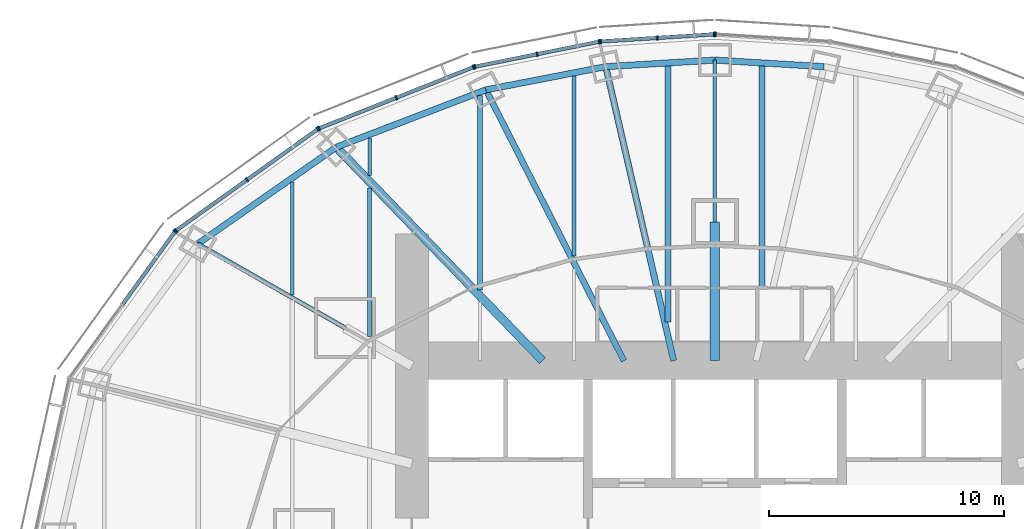
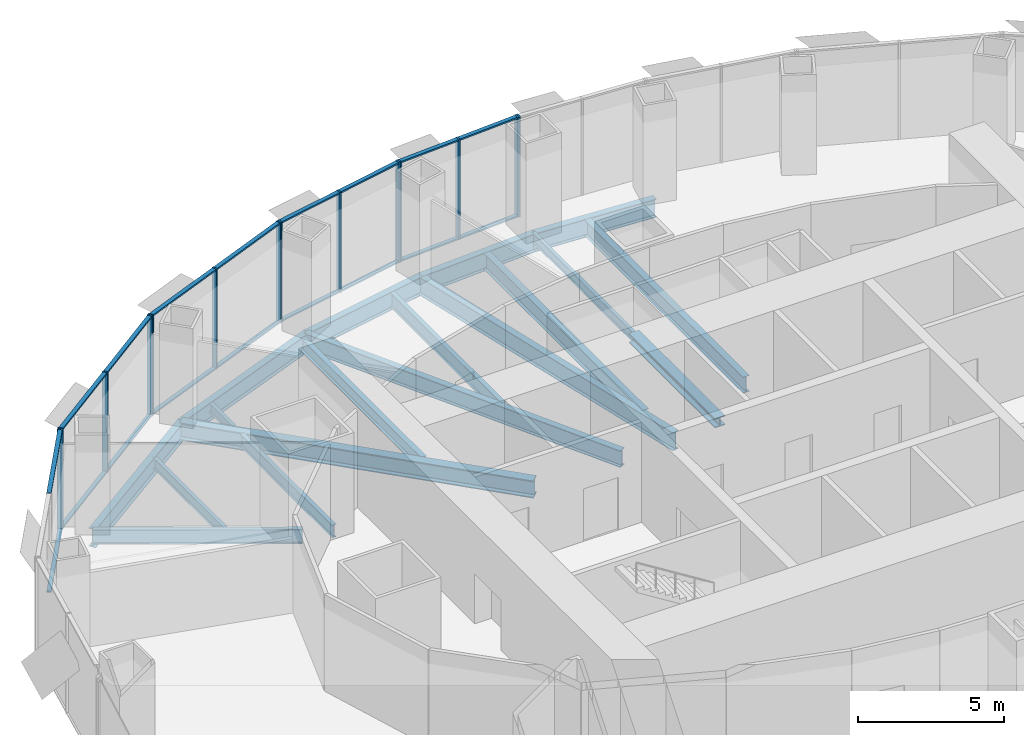
# One storey, part 7 of 18: 32 members, 18 beams, 6 elements without a shape of their own.
"""IFC4 building model written with IfcOpenShell, lengths in metres."""

from ifc_helpers import new_model, si_unit, direction, frame, origin, origin_2d, place, context, subcontext, project, spatial, rectangle, i_section, extrude, material, material_profile, profile_set, type_object, element, aggregate, save


model = new_model("IFC4")

# Units and contexts
model_context = context("Model", 3, precision=1e-05, world=origin(), true_north=direction((0.0, 1.0)))
body_context = subcontext(model_context, "Body", "Model", "MODEL_VIEW")
ifc_project = project(units=[si_unit("LENGTHUNIT", "METRE"), si_unit("AREAUNIT", "SQUARE_METRE"), si_unit("VOLUMEUNIT", "CUBIC_METRE"), si_unit("PLANEANGLEUNIT", "RADIAN"), si_unit("MASSUNIT", "GRAM", prefix="KILO")], contexts=[model_context])

# Site, building, storey
site_placement = place(None, origin())
site = spatial("IfcSite", under=ifc_project, at=site_placement, CompositionType="ELEMENT")
building_placement = place(site_placement, origin())
building = spatial("IfcBuilding", under=site, at=building_placement, Name="Lantaw Convention Tower", CompositionType="ELEMENT")
storey_placement = place(building_placement, frame((0.0, 0.0, 130.0)))
storey = spatial("IfcBuildingStorey", under=building, at=storey_placement, Name="L30", CompositionType="ELEMENT", Elevation=130.0)

# Beams
ifc_material_1 = material(Name="Steel ASTM A992", Category="steel")
ifc_material_profile_1 = material_profile(ifc_material_1, i_section(OverallWidth=0.2666015625, OverallDepth=0.76953125, WebThickness=0.015625, FlangeThickness=0.025390625, FilletRadius=0.0126953125, at=origin_2d()), Name="W30X132")
ifc_profile_set_1 = profile_set([ifc_material_profile_1], Name="Steel ASTM A992")
beam_type_1 = type_object("IfcBeamType", Name="Beam E W30X132", PredefinedType="SPANDREL", material=ifc_profile_set_1)
for number, where, z_axis, x_axis, name in (
    (1, (4.64501953125, 20.1201171875, -0.534912109375), (-0.998190892054, 0.06012439621, 0.0), (-0.06012439621, -0.998190892054, 0.0), "Edge beam 6"),
    (2, (0.0, 20.39990234375, -0.534912109375), (-0.998190892054, -0.06012439621, 0.0), (0.06012439621, -0.998190892054, 0.0), "Edge beam 7"),
):
    element("IfcBeam", number, at=place(storey_placement, frame(where, z_axis=z_axis, x_axis=x_axis)), inside=storey, type_object=beam_type_1, Name=name, PredefinedType="SPANDREL", context=body_context, shape_type="SweptSolid", body=[
        extrude(i_section(OverallWidth=0.2666015625, OverallDepth=0.76953125, WebThickness=0.015625, FlangeThickness=0.025390625, FilletRadius=0.0126953125, at=origin_2d()), origin(), (0.0, 0.0, 1.0), 4.6533203125),
    ])
beam_1_placement = place(storey_placement, frame((-4.64501953125, 20.1201171875, -0.534912109375), z_axis=(-0.981796805654, -0.189934284446, 0.0), x_axis=(0.189934284446, -0.981796805654, 0.0)))
element("IfcBeam", 3, at=beam_1_placement, inside=storey, type_object=beam_type_1, Name="Edge beam 8", PredefinedType="SPANDREL", context=body_context, shape_type="SweptSolid", body=[
    extrude(i_section(OverallWidth=0.2666015625, OverallDepth=0.76953125, WebThickness=0.015625, FlangeThickness=0.025390625, FilletRadius=0.0126953125, at=origin_2d()), origin(), (0.0, 0.0, 1.0), 5.1982421875),
])
beam_2_placement = place(storey_placement, frame((-9.74853515625, 19.1328125, -0.534912109375), z_axis=(-0.933691081977, -0.358079549033, 0.0), x_axis=(0.358079549033, -0.933691081977, 0.0)))
element("IfcBeam", 4, at=beam_2_placement, inside=storey, type_object=beam_type_1, Name="Edge beam 9", PredefinedType="SPANDREL", context=body_context, shape_type="SweptSolid", body=[
    extrude(i_section(OverallWidth=0.2666015625, OverallDepth=0.76953125, WebThickness=0.015625, FlangeThickness=0.025390625, FilletRadius=0.0126953125, at=origin_2d()), origin(), (0.0, 0.0, 1.0), 6.821533203125),
])
beam_3_placement = place(storey_placement, frame((-16.11767578125, 16.690185546875, -0.534912109375), z_axis=(-0.820310765287, -0.57191804339, 0.0), x_axis=(0.57191804339, -0.820310765287, 0.0)))
element("IfcBeam", 5, at=beam_3_placement, inside=storey, type_object=beam_type_1, Name="Edge beam 10", PredefinedType="SPANDREL", context=body_context, shape_type="SweptSolid", body=[
    extrude(i_section(OverallWidth=0.2666015625, OverallDepth=0.76953125, WebThickness=0.015625, FlangeThickness=0.025390625, FilletRadius=0.0126953125, at=origin_2d()), origin(), (0.0, 0.0, 1.0), 7.187744140625),
])
ifc_material_profile_2 = material_profile(ifc_material_1, i_section(OverallWidth=0.140380859375, OverallDepth=0.40380859375, WebThickness=0.007080078125, FlangeThickness=0.01123046875, FilletRadius=0.01025390625, at=origin_2d()), Name="W16X31")
ifc_profile_set_2 = profile_set([ifc_material_profile_2], Name="Steel ASTM A992")
beam_type_2 = type_object("IfcBeamType", Name="Beam G W16X31", PredefinedType="BEAM", material=ifc_profile_set_2)
beam_4_placement = place(storey_placement, frame((0.0, 13.5, -0.35205078125), z_axis=(0.0, 1.0, 0.0), x_axis=(-1.0, 0.0, 0.0)))
element("IfcBeam", 6, at=beam_4_placement, inside=storey, type_object=beam_type_2, Name="Floor girder on ray 7", PredefinedType="BEAM", context=body_context, shape_type="SweptSolid", body=[
    extrude(i_section(OverallWidth=0.140380859375, OverallDepth=0.40380859375, WebThickness=0.007080078125, FlangeThickness=0.01123046875, FilletRadius=0.01025390625, at=origin_2d()), origin(), (0.0, 0.0, 1.0), 6.89990234375),
])
ifc_material_profile_3 = material_profile(ifc_material_1, i_section(OverallWidth=0.177978515625, OverallDepth=0.599365234375, WebThickness=0.010009765625, FlangeThickness=0.012939453125, FilletRadius=0.012939453125, at=origin_2d()), Name="W24X55")
ifc_profile_set_3 = profile_set([ifc_material_profile_3], Name="Steel ASTM A992")
beam_type_3 = type_object("IfcBeamType", Name="Beam G W24X55", PredefinedType="BEAM", material=ifc_profile_set_3)
beam_5_placement = place(storey_placement, frame((-15.75, 9.0, -0.44970703125), z_axis=(-0.868245224608, 0.496135293993, 0.0), x_axis=(-0.496135293993, -0.868245224608, 0.0)))
element("IfcBeam", 7, at=beam_5_placement, inside=storey, type_object=beam_type_3, Name="Floor girder on ray 11", PredefinedType="BEAM", context=body_context, shape_type="SweptSolid", body=[
    extrude(i_section(OverallWidth=0.177978515625, OverallDepth=0.599365234375, WebThickness=0.010009765625, FlangeThickness=0.012939453125, FilletRadius=0.012939453125, at=origin_2d()), origin(), (0.0, 0.0, 1.0), 7.21435546875),
])
ifc_material_profile_4 = material_profile(ifc_material_1, i_section(OverallWidth=0.25390625, OverallDepth=0.700927734375, WebThickness=0.015380859375, FlangeThickness=0.02783203125, FilletRadius=0.01513671875, at=origin_2d()), Name="W27X129")
ifc_profile_set_4 = profile_set([ifc_material_profile_4], Name="Steel ASTM A992")
beam_type_4 = type_object("IfcBeamType", Name="Beam G W27X129", PredefinedType="BEAM", material=ifc_profile_set_4)
beam_6_placement = place(storey_placement, frame((-3.872314453125, 7.60009765625, -0.50048828125), z_axis=(-0.453991051051, 0.891006243281, 0.0), x_axis=(-0.891006243281, -0.453991051051, 0.0)))
element("IfcBeam", 8, at=beam_6_placement, inside=storey, type_object=beam_type_4, Name="Floor girder on ray 9", PredefinedType="BEAM", context=body_context, shape_type="SweptSolid", body=[
    extrude(i_section(OverallWidth=0.25390625, OverallDepth=0.700927734375, WebThickness=0.015380859375, FlangeThickness=0.02783203125, FilletRadius=0.01513671875, at=origin_2d()), origin(), (0.0, 0.0, 1.0), 12.943359375),
])
ifc_material_profile_5 = material_profile(ifc_material_1, i_section(OverallWidth=0.360595703125, OverallDepth=0.72900390625, WebThickness=0.023193359375, FlangeThickness=0.041015625, FilletRadius=0.0126953125, at=origin_2d()), Name="W27X235")
ifc_profile_set_5 = profile_set([ifc_material_profile_5], Name="Steel ASTM A992")
beam_type_5 = type_object("IfcBeamType", Name="Beam G W27X235", PredefinedType="BEAM", material=ifc_profile_set_5)
beam_7_placement = place(storey_placement, frame((-7.33935546875, 7.60009765625, -0.514404296875), z_axis=(-0.694663467407, 0.719334878239, 0.0), x_axis=(-0.719334878239, -0.694663467407, 0.0)))
element("IfcBeam", 9, at=beam_7_placement, inside=storey, type_object=beam_type_5, Name="Floor girder on ray 10", PredefinedType="BEAM", context=body_context, shape_type="SweptSolid", body=[
    extrude(i_section(OverallWidth=0.360595703125, OverallDepth=0.72900390625, WebThickness=0.023193359375, FlangeThickness=0.041015625, FilletRadius=0.0126953125, at=origin_2d()), origin(), (0.0, 0.0, 1.0), 12.63671875),
])
ifc_material_profile_6 = material_profile(ifc_material_1, i_section(OverallWidth=0.2666015625, OverallDepth=0.7568359375, WebThickness=0.013916015625, FlangeThickness=0.019287109375, FilletRadius=0.0126953125, at=origin_2d()), Name="W30X108")
ifc_profile_set_6 = profile_set([ifc_material_profile_6], Name="Steel ASTM A992")
beam_type_6 = type_object("IfcBeamType", Name="Beam G W30X108", PredefinedType="BEAM", material=ifc_profile_set_6)
beam_8_placement = place(storey_placement, frame((-1.754638671875, 7.60009765625, -0.528564453125), z_axis=(-0.224944153104, 0.974371658036, 0.0), x_axis=(-0.974371658036, -0.224944153104, 0.0)))
element("IfcBeam", 10, at=beam_8_placement, inside=storey, type_object=beam_type_6, Name="Floor girder on ray 8", PredefinedType="BEAM", context=body_context, shape_type="SweptSolid", body=[
    extrude(i_section(OverallWidth=0.2666015625, OverallDepth=0.7568359375, WebThickness=0.013916015625, FlangeThickness=0.019287109375, FilletRadius=0.0126953125, at=origin_2d()), origin(), (0.0, 0.0, 1.0), 12.849365234375),
])
ifc_material_profile_7 = material_profile(ifc_material_1, i_section(OverallWidth=0.40380859375, OverallDepth=0.406494140625, WebThickness=0.027099609375, FlangeThickness=0.043701171875, FilletRadius=0.01513671875, at=origin_2d()), Name="W14X233")
ifc_profile_set_7 = profile_set([ifc_material_profile_7], Name="Steel ASTM A992")
beam_type_7 = type_object("IfcBeamType", Name="Beam GM W14X233", PredefinedType="BEAM", material=ifc_profile_set_7)
beam_9_placement = place(storey_placement, frame((0.0, 7.60009765625, -0.353271484375), z_axis=(0.0, 1.0, 0.0), x_axis=(-1.0, 0.0, 0.0)))
element("IfcBeam", 11, at=beam_9_placement, inside=storey, type_object=beam_type_7, Name="Core link beam on ray 7", PredefinedType="BEAM", context=body_context, shape_type="SweptSolid", body=[
    extrude(i_section(OverallWidth=0.40380859375, OverallDepth=0.406494140625, WebThickness=0.027099609375, FlangeThickness=0.043701171875, FilletRadius=0.01513671875, at=origin_2d()), origin(), (0.0, 0.0, 1.0), 5.89990234375),
])
ifc_material_profile_8 = material_profile(ifc_material_1, i_section(OverallWidth=0.140380859375, OverallDepth=0.40380859375, WebThickness=0.007080078125, FlangeThickness=0.01123046875, FilletRadius=0.01025390625, at=origin_2d()), Name="W16X31")
ifc_profile_set_8 = profile_set([ifc_material_profile_8], Name="Steel ASTM A992")
beam_type_8 = type_object("IfcBeamType", Name="Beam J W16X31", PredefinedType="JOIST", material=ifc_profile_set_8)
beam_10_placement = place(storey_placement, frame((-14.699951171875, 15.48193359375, -0.35205078125), z_axis=(0.0, 1.0, 0.0), x_axis=(-1.0, 0.0, 0.0)))
element("IfcBeam", 12, at=beam_10_placement, inside=storey, type_object=beam_type_8, Name="Floor joist", PredefinedType="JOIST", context=body_context, shape_type="SweptSolid", body=[
    extrude(i_section(OverallWidth=0.140380859375, OverallDepth=0.40380859375, WebThickness=0.007080078125, FlangeThickness=0.01123046875, FilletRadius=0.01025390625, at=origin_2d()), origin(), (0.0, 0.0, 1.0), 1.609130859375),
])
ifc_material_profile_9 = material_profile(ifc_material_1, i_section(OverallWidth=0.15234375, OverallDepth=0.449462890625, WebThickness=0.007568359375, FlangeThickness=0.0107421875, FilletRadius=0.01025390625, at=origin_2d()), Name="W18X35")
ifc_profile_set_9 = profile_set([ifc_material_profile_9], Name="Steel ASTM A992")
beam_type_9 = type_object("IfcBeamType", Name="Beam J W18X35", PredefinedType="JOIST", material=ifc_profile_set_9)
beam_11_placement = place(storey_placement, frame((-18.0, 10.38818359375, -0.374755859375), z_axis=(0.0, 1.0, 0.0), x_axis=(-1.0, 0.0, 0.0)))
element("IfcBeam", 13, at=beam_11_placement, inside=storey, type_object=beam_type_9, Name="Floor joist", PredefinedType="JOIST", context=body_context, shape_type="SweptSolid", body=[
    extrude(i_section(OverallWidth=0.15234375, OverallDepth=0.449462890625, WebThickness=0.007568359375, FlangeThickness=0.0107421875, FilletRadius=0.01025390625, at=origin_2d()), origin(), (0.0, 0.0, 1.0), 4.8271484375),
])
ifc_material_profile_10 = material_profile(ifc_material_1, i_section(OverallWidth=0.1650390625, OverallDepth=0.52587890625, WebThickness=0.0087890625, FlangeThickness=0.011474609375, FilletRadius=0.0126953125, at=origin_2d()), Name="W21X44")
ifc_profile_set_10 = profile_set([ifc_material_profile_10], Name="Steel ASTM A992")
beam_type_10 = type_object("IfcBeamType", Name="Beam J W21X44", PredefinedType="JOIST", material=ifc_profile_set_10)
beam_12_placement = place(storey_placement, frame((-14.699951171875, 8.632568359375, -0.412841796875), z_axis=(0.0, 1.0, 0.0), x_axis=(-1.0, 0.0, 0.0)))
element("IfcBeam", 14, at=beam_12_placement, inside=storey, type_object=beam_type_10, Name="Floor joist", PredefinedType="JOIST", context=body_context, shape_type="SweptSolid", body=[
    extrude(i_section(OverallWidth=0.1650390625, OverallDepth=0.52587890625, WebThickness=0.0087890625, FlangeThickness=0.011474609375, FilletRadius=0.0126953125, at=origin_2d()), origin(), (0.0, 0.0, 1.0), 6.330078125),
])
ifc_material_profile_11 = material_profile(ifc_material_1, i_section(OverallWidth=0.2099609375, OverallDepth=0.535888671875, WebThickness=0.010986328125, FlangeThickness=0.017333984375, FilletRadius=0.012939453125, at=origin_2d()), Name="W21X68")
ifc_profile_set_11 = profile_set([ifc_material_profile_11], Name="Steel ASTM A992")
beam_type_11 = type_object("IfcBeamType", Name="Beam J W21X68", PredefinedType="JOIST", material=ifc_profile_set_11)
beam_13_placement = place(storey_placement, frame((-10.0, 10.614990234375, -0.41796875), z_axis=(0.0, 1.0, 0.0), x_axis=(-1.0, 0.0, 0.0)))
element("IfcBeam", 15, at=beam_13_placement, inside=storey, type_object=beam_type_11, Name="Floor joist", PredefinedType="JOIST", context=body_context, shape_type="SweptSolid", body=[
    extrude(i_section(OverallWidth=0.2099609375, OverallDepth=0.535888671875, WebThickness=0.010986328125, FlangeThickness=0.017333984375, FilletRadius=0.012939453125, at=origin_2d()), origin(), (0.0, 0.0, 1.0), 8.278564453125),
])
ifc_material_profile_12 = material_profile(ifc_material_1, i_section(OverallWidth=0.177978515625, OverallDepth=0.599365234375, WebThickness=0.010009765625, FlangeThickness=0.012939453125, FilletRadius=0.012939453125, at=origin_2d()), Name="W24X55")
ifc_profile_set_12 = profile_set([ifc_material_profile_12], Name="Steel ASTM A992")
beam_type_12 = type_object("IfcBeamType", Name="Beam J W24X55", PredefinedType="JOIST", material=ifc_profile_set_12)
beam_14_placement = place(storey_placement, frame((-6.0, 12.055419921875, -0.44970703125), z_axis=(0.0, 1.0, 0.0), x_axis=(-1.0, 0.0, 0.0)))
element("IfcBeam", 16, at=beam_14_placement, inside=storey, type_object=beam_type_12, Name="Floor joist", PredefinedType="JOIST", context=body_context, shape_type="SweptSolid", body=[
    extrude(i_section(OverallWidth=0.177978515625, OverallDepth=0.599365234375, WebThickness=0.010009765625, FlangeThickness=0.012939453125, FilletRadius=0.012939453125, at=origin_2d()), origin(), (0.0, 0.0, 1.0), 7.666748046875),
])
ifc_material_profile_13 = material_profile(ifc_material_1, i_section(OverallWidth=0.25390625, OverallDepth=0.683349609375, WebThickness=0.012451171875, FlangeThickness=0.01904296875, FilletRadius=0.01513671875, at=origin_2d()), Name="W27X94")
ifc_profile_set_13 = profile_set([ifc_material_profile_13], Name="Steel ASTM A992")
beam_type_13 = type_object("IfcBeamType", Name="Beam J W27X94", PredefinedType="JOIST", material=ifc_profile_set_13)
for number, where, z_axis, x_axis, name in (
    (17, (-2.0, 9.255859375, -0.49169921875), (0.0, 1.0, 0.0), (-1.0, 0.0, 0.0), "Floor joist"),
    (18, (2.0, 9.255859375, -0.49169921875), (0.0, 1.0, 0.0), (-1.0, 0.0, 0.0), "Floor joist"),
):
    element("IfcBeam", number, at=place(storey_placement, frame(where, z_axis=z_axis, x_axis=x_axis)), inside=storey, type_object=beam_type_13, Name=name, PredefinedType="JOIST", context=body_context, shape_type="SweptSolid", body=[
        extrude(i_section(OverallWidth=0.25390625, OverallDepth=0.683349609375, WebThickness=0.012451171875, FlangeThickness=0.01904296875, FilletRadius=0.01513671875, at=origin_2d()), origin(), (0.0, 0.0, 1.0), 10.889892578125),
    ])

# Curtain wall, member
ifc_material_2 = material(Name="Aluminium framed curtain wall", Category="aluminium")
curtain_wall_type = type_object("IfcCurtainWallType", Name="Office curtain wall low rise, pale aluminium", PredefinedType="USERDEFINED", material=ifc_material_2)
curtain_wall_1_placement = place(storey_placement, origin())
curtain_wall_1 = element("IfcCurtainWall", 19, at=curtain_wall_1_placement, inside=storey, type_object=curtain_wall_type, Name="Office curtain wall low rise, pale aluminium L30", ObjectType="UNITISED CURTAIN WALL", PredefinedType="USERDEFINED")
ifc_material_3 = material(Name="Aluminium 6063-T6", Category="aluminium")
ifc_material_profile_14 = material_profile(ifc_material_3, rectangle(XDim=0.199951171875, YDim=0.06494140625, at=origin_2d()), Name="CW-O1 mullion 65x200")
ifc_profile_set_14 = profile_set([ifc_material_profile_14], Name="Aluminium 6063-T6")
member_type_1 = type_object("IfcMemberType", Name="CW-O1 mullion 65x200", PredefinedType="MULLION", material=ifc_profile_set_14)
member_1_placement = place(storey_placement, frame((0.032470703125, 21.498046875, -0.14990234375), z_axis=(0.0, 0.0, 1.0), x_axis=(-0.062865059466, -0.998022035978, 0.0)))
member_1 = element("IfcMember", 20, at=member_1_placement, type_object=member_type_1, Name="CW-O1 mullion 3", PredefinedType="MULLION", context=body_context, shape_type="SweptSolid", body=[
    extrude(rectangle(XDim=0.199951171875, YDim=0.06494140625, at=origin_2d()), origin(), (0.0, 0.0, 1.0), 4.199951171875),
])
aggregate(curtain_wall_1, [member_1])

# Curtain wall, members
curtain_wall_2_placement = place(storey_placement, origin())
curtain_wall_2 = element("IfcCurtainWall", 21, at=curtain_wall_2_placement, inside=storey, type_object=curtain_wall_type, Name="Office curtain wall low rise, pale aluminium L30", ObjectType="UNITISED CURTAIN WALL", PredefinedType="USERDEFINED")
member_2_placement = place(storey_placement, frame((-0.032470703125, 21.498046875, -0.14990234375), z_axis=(0.0, 0.0, 1.0), x_axis=(0.062865059466, -0.998022035978, 0.0)))
member_2 = element("IfcMember", 22, at=member_2_placement, type_object=member_type_1, Name="CW-O1 mullion 1", PredefinedType="MULLION", context=body_context, shape_type="SweptSolid", body=[
    extrude(rectangle(XDim=0.199951171875, YDim=0.06494140625, at=origin_2d()), origin(), (0.0, 0.0, 1.0), 4.199951171875),
])
member_3_placement = place(storey_placement, frame((-2.4462890625, 21.345947265625, -0.14990234375), z_axis=(0.0, 0.0, 1.0), x_axis=(0.062865059466, -0.998022035978, 0.0)))
member_3 = element("IfcMember", 23, at=member_3_placement, type_object=member_type_1, Name="CW-O1 mullion 2", PredefinedType="MULLION", context=body_context, shape_type="SweptSolid", body=[
    extrude(rectangle(XDim=0.199951171875, YDim=0.06494140625, at=origin_2d()), origin(), (0.0, 0.0, 1.0), 4.199951171875),
])
member_4_placement = place(storey_placement, frame((-4.860107421875, 21.19384765625, -0.14990234375), z_axis=(0.0, 0.0, 1.0), x_axis=(0.062865059466, -0.998022035978, 0.0)))
member_4 = element("IfcMember", 24, at=member_4_placement, type_object=member_type_1, Name="CW-O1 mullion 3", PredefinedType="MULLION", context=body_context, shape_type="SweptSolid", body=[
    extrude(rectangle(XDim=0.199951171875, YDim=0.06494140625, at=origin_2d()), origin(), (0.0, 0.0, 1.0), 4.199951171875),
])

curtain_wall_3_placement = place(storey_placement, origin())
curtain_wall_3 = element("IfcCurtainWall", 25, at=curtain_wall_3_placement, inside=storey, type_object=curtain_wall_type, Name="Office curtain wall low rise, pale aluminium L30", ObjectType="UNITISED CURTAIN WALL", PredefinedType="USERDEFINED")
member_5_placement = place(storey_placement, frame((-4.92431640625, 21.185302734375, -0.14990234375), z_axis=(0.0, 0.0, 1.0), x_axis=(0.197506809659, -0.980301514912, 0.0)))
member_5 = element("IfcMember", 26, at=member_5_placement, type_object=member_type_1, Name="CW-O1 mullion 1", PredefinedType="MULLION", context=body_context, shape_type="SweptSolid", body=[
    extrude(rectangle(XDim=0.199951171875, YDim=0.06494140625, at=origin_2d()), origin(), (0.0, 0.0, 1.0), 4.199951171875),
])
member_6_placement = place(storey_placement, frame((-7.5703125, 20.65234375, -0.14990234375), z_axis=(0.0, 0.0, 1.0), x_axis=(0.197506809659, -0.980301514912, 0.0)))
member_6 = element("IfcMember", 27, at=member_6_placement, type_object=member_type_1, Name="CW-O1 mullion 2", PredefinedType="MULLION", context=body_context, shape_type="SweptSolid", body=[
    extrude(rectangle(XDim=0.199951171875, YDim=0.06494140625, at=origin_2d()), origin(), (0.0, 0.0, 1.0), 4.199951171875),
])
member_7_placement = place(storey_placement, frame((-10.216064453125, 20.119140625, -0.14990234375), z_axis=(0.0, 0.0, 1.0), x_axis=(0.197506809659, -0.980301514912, 0.0)))
member_7 = element("IfcMember", 28, at=member_7_placement, type_object=member_type_1, Name="CW-O1 mullion 3", PredefinedType="MULLION", context=body_context, shape_type="SweptSolid", body=[
    extrude(rectangle(XDim=0.199951171875, YDim=0.06494140625, at=origin_2d()), origin(), (0.0, 0.0, 1.0), 4.199951171875),
])

curtain_wall_4_placement = place(storey_placement, origin())
curtain_wall_4 = element("IfcCurtainWall", 29, at=curtain_wall_4_placement, inside=storey, type_object=curtain_wall_type, Name="Office curtain wall low rise, pale aluminium L30", ObjectType="UNITISED CURTAIN WALL", PredefinedType="USERDEFINED")
member_8_placement = place(storey_placement, frame((-10.2783203125, 20.100830078125, -0.14990234375), z_axis=(0.0, 0.0, 1.0), x_axis=(0.368701907483, -0.929547687544, 0.0)))
member_8 = element("IfcMember", 30, at=member_8_placement, type_object=member_type_1, Name="CW-O1 mullion 1", PredefinedType="MULLION", context=body_context, shape_type="SweptSolid", body=[
    extrude(rectangle(XDim=0.199951171875, YDim=0.06494140625, at=origin_2d()), origin(), (0.0, 0.0, 1.0), 4.199951171875),
])
member_9_placement = place(storey_placement, frame((-13.56494140625, 18.797119140625, -0.14990234375), z_axis=(0.0, 0.0, 1.0), x_axis=(0.368701907483, -0.929547687544, 0.0)))
member_9 = element("IfcMember", 31, at=member_9_placement, type_object=member_type_1, Name="CW-O1 mullion 2", PredefinedType="MULLION", context=body_context, shape_type="SweptSolid", body=[
    extrude(rectangle(XDim=0.199951171875, YDim=0.06494140625, at=origin_2d()), origin(), (0.0, 0.0, 1.0), 4.199951171875),
])
member_10_placement = place(storey_placement, frame((-16.8515625, 17.49365234375, -0.14990234375), z_axis=(0.0, 0.0, 1.0), x_axis=(0.368701907483, -0.929547687544, 0.0)))
member_10 = element("IfcMember", 32, at=member_10_placement, type_object=member_type_1, Name="CW-O1 mullion 3", PredefinedType="MULLION", context=body_context, shape_type="SweptSolid", body=[
    extrude(rectangle(XDim=0.199951171875, YDim=0.06494140625, at=origin_2d()), origin(), (0.0, 0.0, 1.0), 4.199951171875),
])

curtain_wall_5_placement = place(storey_placement, origin())
curtain_wall_5 = element("IfcCurtainWall", 33, at=curtain_wall_5_placement, inside=storey, type_object=curtain_wall_type, Name="Office curtain wall low rise, pale aluminium L30", ObjectType="UNITISED CURTAIN WALL", PredefinedType="USERDEFINED")
member_11_placement = place(storey_placement, frame((-16.908203125, 17.462646484375, -0.14990234375), z_axis=(0.0, 0.0, 1.0), x_axis=(0.581972695693, -0.813208325995, 0.0)))
member_11 = element("IfcMember", 34, at=member_11_placement, type_object=member_type_1, Name="CW-O1 mullion 1", PredefinedType="MULLION", context=body_context, shape_type="SweptSolid", body=[
    extrude(rectangle(XDim=0.199951171875, YDim=0.06494140625, at=origin_2d()), origin(), (0.0, 0.0, 1.0), 4.199951171875),
])
member_12_placement = place(storey_placement, frame((-19.92529296875, 15.303466796875, -0.14990234375), z_axis=(0.0, 0.0, 1.0), x_axis=(0.581972695693, -0.813208325995, 0.0)))
member_12 = element("IfcMember", 35, at=member_12_placement, type_object=member_type_1, Name="CW-O1 mullion 2", PredefinedType="MULLION", context=body_context, shape_type="SweptSolid", body=[
    extrude(rectangle(XDim=0.199951171875, YDim=0.06494140625, at=origin_2d()), origin(), (0.0, 0.0, 1.0), 4.199951171875),
])
member_13_placement = place(storey_placement, frame((-22.942626953125, 13.14404296875, -0.14990234375), z_axis=(0.0, 0.0, 1.0), x_axis=(0.581972695693, -0.813208325995, 0.0)))
member_13 = element("IfcMember", 36, at=member_13_placement, type_object=member_type_1, Name="CW-O1 mullion 3", PredefinedType="MULLION", context=body_context, shape_type="SweptSolid", body=[
    extrude(rectangle(XDim=0.199951171875, YDim=0.06494140625, at=origin_2d()), origin(), (0.0, 0.0, 1.0), 4.199951171875),
])

# Curtain wall, member
curtain_wall_6_placement = place(storey_placement, origin())
curtain_wall_6 = element("IfcCurtainWall", 37, at=curtain_wall_6_placement, inside=storey, type_object=curtain_wall_type, Name="Office curtain wall low rise, pale aluminium L30", ObjectType="UNITISED CURTAIN WALL", PredefinedType="USERDEFINED")
member_14_placement = place(storey_placement, frame((-22.988037109375, 13.098876953125, -0.14990234375), z_axis=(0.0, 0.0, 1.0), x_axis=(0.811384633629, -0.584512597221, 0.0)))
member_14 = element("IfcMember", 38, at=member_14_placement, type_object=member_type_1, Name="CW-O1 mullion 1", PredefinedType="MULLION", context=body_context, shape_type="SweptSolid", body=[
    extrude(rectangle(XDim=0.199951171875, YDim=0.06494140625, at=origin_2d()), origin(), (0.0, 0.0, 1.0), 4.199951171875),
])

# Member
ifc_material_profile_15 = material_profile(ifc_material_3, rectangle(XDim=0.159912109375, YDim=0.06494140625, at=origin_2d()), Name="CW-O1 transom 65x160")
ifc_profile_set_15 = profile_set([ifc_material_profile_15], Name="Aluminium 6063-T6")
member_type_2 = type_object("IfcMemberType", Name="CW-O1 transom 65x160", PredefinedType="USERDEFINED", material=ifc_profile_set_15)
member_15_placement = place(storey_placement, frame((-0.06494140625, 21.495849609375, -0.117431640625), z_axis=(-0.998022188463, -0.062862638625, 0.0), x_axis=(0.062862638625, -0.998022188463, 0.0)))
member_15 = element("IfcMember", 39, at=member_15_placement, type_object=member_type_2, Name="CW-O1 transom 1.1", ObjectType="TRANSOM", PredefinedType="USERDEFINED", context=body_context, shape_type="SweptSolid", body=[
    extrude(rectangle(XDim=0.159912109375, YDim=0.06494140625, at=origin_2d()), origin(), (0.0, 0.0, 1.0), 2.353515625),
])

member_16_placement = place(storey_placement, frame((-0.06494140625, 21.495849609375, 4.017578125), z_axis=(-0.998022188463, -0.062862638625, 0.0), x_axis=(0.062862638625, -0.998022188463, 0.0)))
member_16 = element("IfcMember", 40, at=member_16_placement, type_object=member_type_2, Name="CW-O1 transom 1.2", ObjectType="TRANSOM", PredefinedType="USERDEFINED", context=body_context, shape_type="SweptSolid", body=[
    extrude(rectangle(XDim=0.159912109375, YDim=0.06494140625, at=origin_2d()), origin(), (0.0, 0.0, 1.0), 2.353515625),
])

member_17_placement = place(storey_placement, frame((-2.478759765625, 21.34375, -0.117431640625), z_axis=(-0.998022188463, -0.062862638625, 0.0), x_axis=(0.062862638625, -0.998022188463, 0.0)))
member_17 = element("IfcMember", 41, at=member_17_placement, type_object=member_type_2, Name="CW-O1 transom 2.1", ObjectType="TRANSOM", PredefinedType="USERDEFINED", context=body_context, shape_type="SweptSolid", body=[
    extrude(rectangle(XDim=0.159912109375, YDim=0.06494140625, at=origin_2d()), origin(), (0.0, 0.0, 1.0), 2.353515625),
])

member_18_placement = place(storey_placement, frame((-2.478759765625, 21.34375, 4.017578125), z_axis=(-0.998022188463, -0.062862638625, 0.0), x_axis=(0.062862638625, -0.998022188463, 0.0)))
member_18 = element("IfcMember", 42, at=member_18_placement, type_object=member_type_2, Name="CW-O1 transom 2.2", ObjectType="TRANSOM", PredefinedType="USERDEFINED", context=body_context, shape_type="SweptSolid", body=[
    extrude(rectangle(XDim=0.159912109375, YDim=0.06494140625, at=origin_2d()), origin(), (0.0, 0.0, 1.0), 2.353515625),
])

aggregate(curtain_wall_2, [member_2, member_3, member_4, member_15, member_16, member_17, member_18])

member_19_placement = place(storey_placement, frame((-4.956298828125, 21.178955078125, -0.117431640625), z_axis=(-0.980298027092, -0.197524120247, 0.0), x_axis=(0.197524120247, -0.980298027092, 0.0)))
member_19 = element("IfcMember", 43, at=member_19_placement, type_object=member_type_2, Name="CW-O1 transom 1.1", ObjectType="TRANSOM", PredefinedType="USERDEFINED", context=body_context, shape_type="SweptSolid", body=[
    extrude(rectangle(XDim=0.159912109375, YDim=0.06494140625, at=origin_2d()), origin(), (0.0, 0.0, 1.0), 2.634033203125),
])

member_20_placement = place(storey_placement, frame((-4.956298828125, 21.178955078125, 4.017578125), z_axis=(-0.980298027092, -0.197524120247, 0.0), x_axis=(0.197524120247, -0.980298027092, 0.0)))
member_20 = element("IfcMember", 44, at=member_20_placement, type_object=member_type_2, Name="CW-O1 transom 1.2", ObjectType="TRANSOM", PredefinedType="USERDEFINED", context=body_context, shape_type="SweptSolid", body=[
    extrude(rectangle(XDim=0.159912109375, YDim=0.06494140625, at=origin_2d()), origin(), (0.0, 0.0, 1.0), 2.634033203125),
])

member_21_placement = place(storey_placement, frame((-7.60205078125, 20.64599609375, -0.117431640625), z_axis=(-0.980301643003, -0.197506173891, 0.0), x_axis=(0.197506173891, -0.980301643003, 0.0)))
member_21 = element("IfcMember", 45, at=member_21_placement, type_object=member_type_2, Name="CW-O1 transom 2.1", ObjectType="TRANSOM", PredefinedType="USERDEFINED", context=body_context, shape_type="SweptSolid", body=[
    extrude(rectangle(XDim=0.159912109375, YDim=0.06494140625, at=origin_2d()), origin(), (0.0, 0.0, 1.0), 2.63427734375),
])

member_22_placement = place(storey_placement, frame((-7.60205078125, 20.64599609375, 4.017578125), z_axis=(-0.980301643003, -0.197506173891, 0.0), x_axis=(0.197506173891, -0.980301643003, 0.0)))
member_22 = element("IfcMember", 46, at=member_22_placement, type_object=member_type_2, Name="CW-O1 transom 2.2", ObjectType="TRANSOM", PredefinedType="USERDEFINED", context=body_context, shape_type="SweptSolid", body=[
    extrude(rectangle(XDim=0.159912109375, YDim=0.06494140625, at=origin_2d()), origin(), (0.0, 0.0, 1.0), 2.63427734375),
])

aggregate(curtain_wall_3, [member_5, member_6, member_7, member_19, member_20, member_21, member_22])

member_23_placement = place(storey_placement, frame((-10.308349609375, 20.0888671875, -0.117431640625), z_axis=(-0.929540081544, -0.368721082668, 0.0), x_axis=(0.368721082668, -0.929540081544, 0.0)))
member_23 = element("IfcMember", 47, at=member_23_placement, type_object=member_type_2, Name="CW-O1 transom 1.1", ObjectType="TRANSOM", PredefinedType="USERDEFINED", context=body_context, shape_type="SweptSolid", body=[
    extrude(rectangle(XDim=0.159912109375, YDim=0.06494140625, at=origin_2d()), origin(), (0.0, 0.0, 1.0), 3.470947265625),
])

member_24_placement = place(storey_placement, frame((-10.308349609375, 20.0888671875, 4.017578125), z_axis=(-0.929540081544, -0.368721082668, 0.0), x_axis=(0.368721082668, -0.929540081544, 0.0)))
member_24 = element("IfcMember", 48, at=member_24_placement, type_object=member_type_2, Name="CW-O1 transom 1.2", ObjectType="TRANSOM", PredefinedType="USERDEFINED", context=body_context, shape_type="SweptSolid", body=[
    extrude(rectangle(XDim=0.159912109375, YDim=0.06494140625, at=origin_2d()), origin(), (0.0, 0.0, 1.0), 3.470947265625),
])

member_25_placement = place(storey_placement, frame((-13.594970703125, 18.78515625, -0.117431640625), z_axis=(-0.929564188507, -0.368660303592, 0.0), x_axis=(0.368660303592, -0.929564188507, 0.0)))
member_25 = element("IfcMember", 49, at=member_25_placement, type_object=member_type_2, Name="CW-O1 transom 2.1", ObjectType="TRANSOM", PredefinedType="USERDEFINED", context=body_context, shape_type="SweptSolid", body=[
    extrude(rectangle(XDim=0.159912109375, YDim=0.06494140625, at=origin_2d()), origin(), (0.0, 0.0, 1.0), 3.470703125),
])

member_26_placement = place(storey_placement, frame((-13.594970703125, 18.78515625, 4.017578125), z_axis=(-0.929564188507, -0.368660303592, 0.0), x_axis=(0.368660303592, -0.929564188507, 0.0)))
member_26 = element("IfcMember", 50, at=member_26_placement, type_object=member_type_2, Name="CW-O1 transom 2.2", ObjectType="TRANSOM", PredefinedType="USERDEFINED", context=body_context, shape_type="SweptSolid", body=[
    extrude(rectangle(XDim=0.159912109375, YDim=0.06494140625, at=origin_2d()), origin(), (0.0, 0.0, 1.0), 3.470703125),
])

aggregate(curtain_wall_4, [member_8, member_9, member_10, member_23, member_24, member_25, member_26])

member_27_placement = place(storey_placement, frame((-16.9345703125, 17.44384765625, -0.117431640625), z_axis=(-0.813190089133, -0.581998177777, 0.0), x_axis=(0.581998177777, -0.813190089133, 0.0)))
member_27 = element("IfcMember", 51, at=member_27_placement, type_object=member_type_2, Name="CW-O1 transom 1.1", ObjectType="TRANSOM", PredefinedType="USERDEFINED", context=body_context, shape_type="SweptSolid", body=[
    extrude(rectangle(XDim=0.159912109375, YDim=0.06494140625, at=origin_2d()), origin(), (0.0, 0.0, 1.0), 3.645263671875),
])

member_28_placement = place(storey_placement, frame((-16.9345703125, 17.44384765625, 4.017578125), z_axis=(-0.813190089133, -0.581998177777, 0.0), x_axis=(0.581998177777, -0.813190089133, 0.0)))
member_28 = element("IfcMember", 52, at=member_28_placement, type_object=member_type_2, Name="CW-O1 transom 1.2", ObjectType="TRANSOM", PredefinedType="USERDEFINED", context=body_context, shape_type="SweptSolid", body=[
    extrude(rectangle(XDim=0.159912109375, YDim=0.06494140625, at=origin_2d()), origin(), (0.0, 0.0, 1.0), 3.645263671875),
])

member_29_placement = place(storey_placement, frame((-19.951904296875, 15.284423828125, -0.117431640625), z_axis=(-0.813221785972, -0.581953887194, 0.0), x_axis=(0.581953887194, -0.813221785972, 0.0)))
member_29 = element("IfcMember", 53, at=member_29_placement, type_object=member_type_2, Name="CW-O1 transom 2.1", ObjectType="TRANSOM", PredefinedType="USERDEFINED", context=body_context, shape_type="SweptSolid", body=[
    extrude(rectangle(XDim=0.159912109375, YDim=0.06494140625, at=origin_2d()), origin(), (0.0, 0.0, 1.0), 3.645263671875),
])

member_30_placement = place(storey_placement, frame((-19.951904296875, 15.284423828125, 4.017578125), z_axis=(-0.813221785972, -0.581953887194, 0.0), x_axis=(0.581953887194, -0.813221785972, 0.0)))
member_30 = element("IfcMember", 54, at=member_30_placement, type_object=member_type_2, Name="CW-O1 transom 2.2", ObjectType="TRANSOM", PredefinedType="USERDEFINED", context=body_context, shape_type="SweptSolid", body=[
    extrude(rectangle(XDim=0.159912109375, YDim=0.06494140625, at=origin_2d()), origin(), (0.0, 0.0, 1.0), 3.645263671875),
])

aggregate(curtain_wall_5, [member_11, member_12, member_13, member_27, member_28, member_29, member_30])

member_31_placement = place(storey_placement, frame((-23.007080078125, 13.072509765625, -0.117431640625), z_axis=(-0.584512973979, -0.811384362217, 0.0), x_axis=(0.811384362217, -0.584512973979, 0.0)))
member_31 = element("IfcMember", 55, at=member_31_placement, type_object=member_type_2, Name="CW-O1 transom 1.1", ObjectType="TRANSOM", PredefinedType="USERDEFINED", context=body_context, shape_type="SweptSolid", body=[
    extrude(rectangle(XDim=0.159912109375, YDim=0.06494140625, at=origin_2d()), origin(), (0.0, 0.0, 1.0), 3.767578125),
])

member_32_placement = place(storey_placement, frame((-23.007080078125, 13.072509765625, 4.017578125), z_axis=(-0.584512973979, -0.811384362217, 0.0), x_axis=(0.811384362217, -0.584512973979, 0.0)))
member_32 = element("IfcMember", 56, at=member_32_placement, type_object=member_type_2, Name="CW-O1 transom 1.2", ObjectType="TRANSOM", PredefinedType="USERDEFINED", context=body_context, shape_type="SweptSolid", body=[
    extrude(rectangle(XDim=0.159912109375, YDim=0.06494140625, at=origin_2d()), origin(), (0.0, 0.0, 1.0), 3.767578125),
])

aggregate(curtain_wall_6, [member_14, member_31, member_32])

save(model, "model.ifc")
